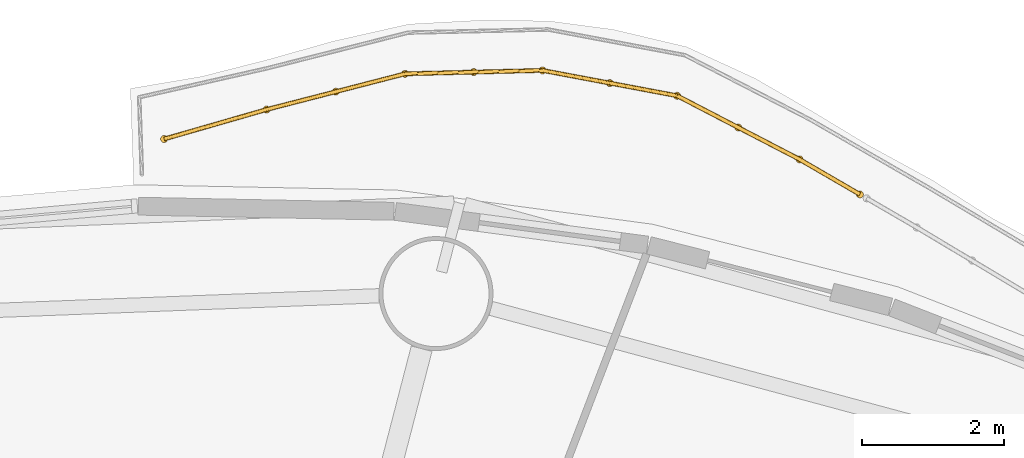
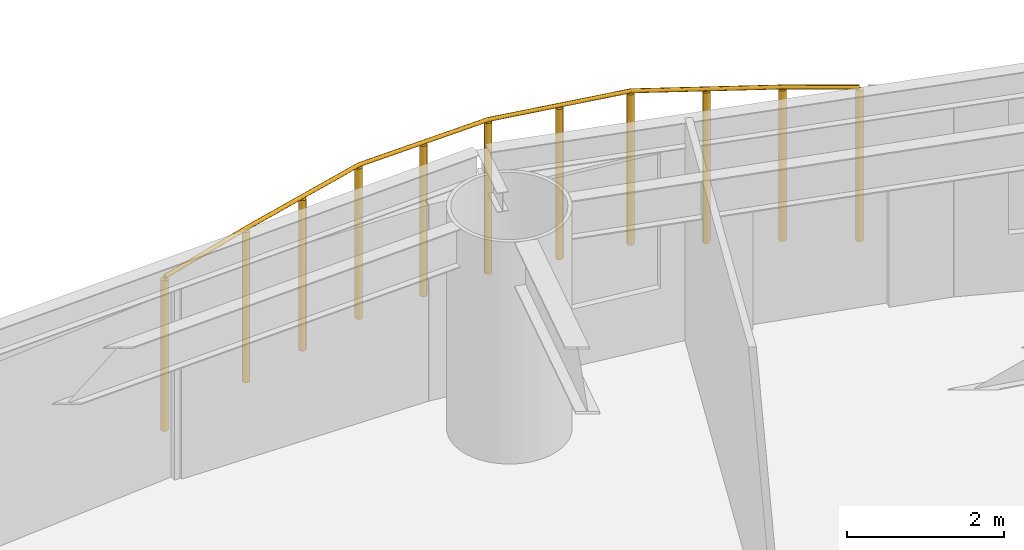
# One storey, part 17 of 17: 1 railing.
"""IFC4 building model written with IfcOpenShell, lengths in metres."""

from ifc_helpers import new_model, si_unit, direction, frame, origin, origin_2d, place, context, subcontext, project, spatial, circle, extrude, material, type_object, element, save


model = new_model("IFC4")

# Units and contexts
model_context = context("Model", 3, precision=1e-05, world=origin(), true_north=direction((0.0, 1.0)))
body_context = subcontext(model_context, "Body", "Model", "MODEL_VIEW")
ifc_project = project(units=[si_unit("LENGTHUNIT", "METRE"), si_unit("AREAUNIT", "SQUARE_METRE"), si_unit("VOLUMEUNIT", "CUBIC_METRE"), si_unit("PLANEANGLEUNIT", "RADIAN"), si_unit("MASSUNIT", "GRAM", prefix="KILO")], contexts=[model_context])

# Site, building, storey
site_placement = place(None, origin())
site = spatial("IfcSite", under=ifc_project, at=site_placement, CompositionType="ELEMENT")
building_placement = place(site_placement, origin())
building = spatial("IfcBuilding", under=site, at=building_placement, Name="Vermilion Reach Broadcast Tower", CompositionType="ELEMENT")
storey_placement = place(building_placement, frame((0.0, 0.0, 92.199951171875)))
storey = spatial("IfcBuildingStorey", under=building, at=storey_placement, Name="L20", CompositionType="ELEMENT", Elevation=92.199951171875)

# Railing
ifc_material = material(Name="Terracotta baguette", Category="masonry")
railing_type = type_object("IfcRailingType", Name="BAGUETTE SCREEN", PredefinedType="USERDEFINED", material=ifc_material)
railing_placement = place(storey_placement, frame((5.7373046875, 23.68701171875, 0.0)))
element("IfcRailing", 1, at=railing_placement, inside=storey, type_object=railing_type, Name="Baguette screen L20 group 1 part 2", ObjectType="BAGUETTE SCREEN", PredefinedType="USERDEFINED", context=body_context, shape_type="SweptSolid", body=[
    extrude(circle(Radius=0.030029296875, at=origin_2d()), frame((0.0, 0.0, 2.369873046875), z_axis=(-0.864834315404, 0.502057374111, 0.0), x_axis=(-0.502057374111, -0.864834315404, 0.0)), (0.0, 0.0, 1.0), 0.979736328125),
    extrude(circle(Radius=0.030029296875, at=origin_2d()), frame((-0.847412109375, 0.491943359375, 2.369873046875), z_axis=(-0.887433565437, 0.460935642943, 0.0), x_axis=(-0.460935642943, -0.887433565437, 0.0)), (0.0, 0.0, 1.0), 1.935302734375),
    extrude(circle(Radius=0.030029296875, at=origin_2d()), frame((-2.56494140625, 1.384033203125, 2.369873046875), z_axis=(-0.98272964969, 0.185047117299, 0.0), x_axis=(-0.185047117299, -0.98272964969, 0.0)), (0.0, 0.0, 1.0), 1.923583984375),
    extrude(circle(Radius=0.030029296875, at=origin_2d()), frame((-4.455322265625, 1.739990234375, 2.369873046875), z_axis=(-0.999695577495, -0.024672906925, 0.0), x_axis=(0.024672906925, -0.999695577495, 0.0)), (0.0, 0.0, 1.0), 1.929443359375),
    extrude(circle(Radius=0.030029296875, at=origin_2d()), frame((-6.38427734375, 1.6923828125, 2.369873046875), z_axis=(-0.968314304242, -0.249734675605, 0.0), x_axis=(0.249734675605, -0.968314304242, 0.0)), (0.0, 0.0, 1.0), 2.009033203125),
    extrude(circle(Radius=0.030029296875, at=origin_2d()), frame((-8.32958984375, 1.190673828125, 2.369873046875), z_axis=(-0.96099231016, -0.276575088925, 0.0), x_axis=(0.276575088925, -0.96099231016, 0.0)), (0.0, 0.0, 1.0), 1.495361328125),
    extrude(circle(Radius=0.050048828125, at=origin_2d()), origin(), (0.0, 0.0, 1.0), 2.33984375),
    extrude(circle(Radius=0.050048828125, at=origin_2d()), frame((-0.847412109375, 0.491943359375, 0.0)), (0.0, 0.0, 1.0), 2.33984375),
    extrude(circle(Radius=0.050048828125, at=origin_2d()), frame((-1.7060546875, 0.93798828125, 0.0)), (0.0, 0.0, 1.0), 2.33984375),
    extrude(circle(Radius=0.050048828125, at=origin_2d()), frame((-2.56494140625, 1.384033203125, 0.0)), (0.0, 0.0, 1.0), 2.33984375),
    extrude(circle(Radius=0.050048828125, at=origin_2d()), frame((-3.51025390625, 1.56201171875, 0.0)), (0.0, 0.0, 1.0), 2.33984375),
    extrude(circle(Radius=0.050048828125, at=origin_2d()), frame((-4.455322265625, 1.739990234375, 0.0)), (0.0, 0.0, 1.0), 2.33984375),
    extrude(circle(Radius=0.050048828125, at=origin_2d()), frame((-5.419921875, 1.71630859375, 0.0)), (0.0, 0.0, 1.0), 2.33984375),
    extrude(circle(Radius=0.050048828125, at=origin_2d()), frame((-6.38427734375, 1.6923828125, 0.0)), (0.0, 0.0, 1.0), 2.33984375),
    extrude(circle(Radius=0.050048828125, at=origin_2d()), frame((-7.35693359375, 1.44140625, 0.0)), (0.0, 0.0, 1.0), 2.33984375),
    extrude(circle(Radius=0.050048828125, at=origin_2d()), frame((-8.32958984375, 1.190673828125, 0.0)), (0.0, 0.0, 1.0), 2.33984375),
    extrude(circle(Radius=0.050048828125, at=origin_2d()), frame((-9.7666015625, 0.777099609375, 0.0)), (0.0, 0.0, 1.0), 2.33984375),
])

save(model, "model.ifc")
